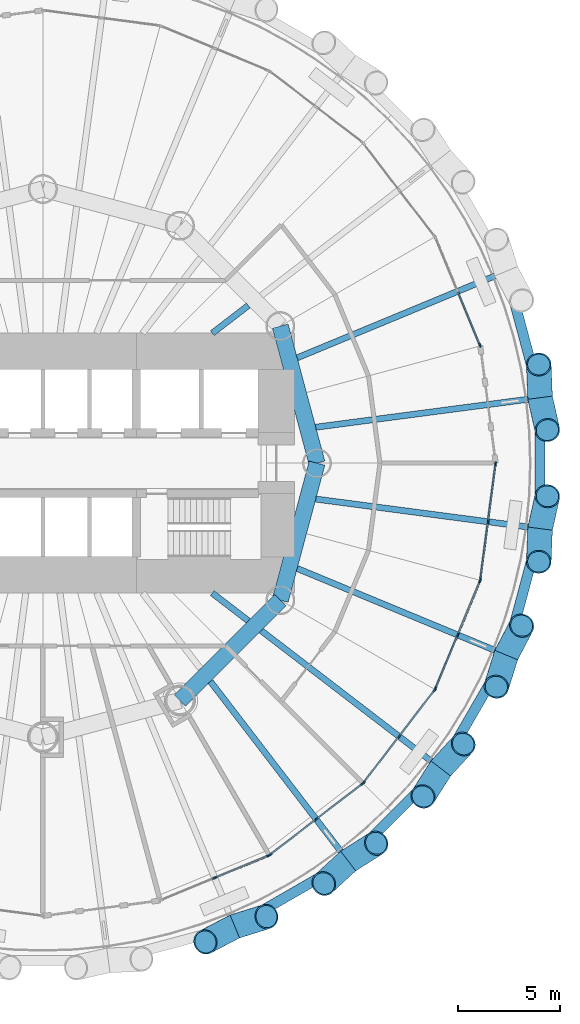
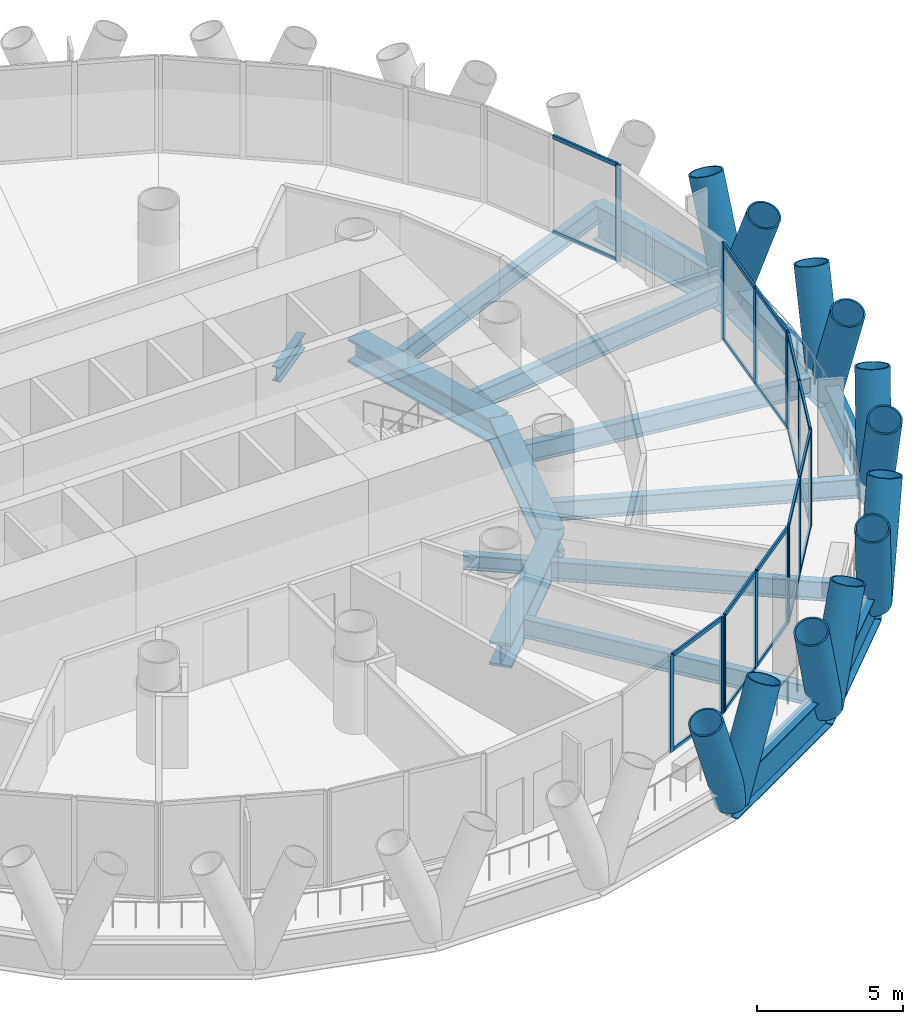
# One storey, part 4 of 15: 47 members, 17 beams, 6 elements without a shape of their own.
"""IFC4 building model written with IfcOpenShell, lengths in metres."""

import ifcopenshell
import ifcopenshell.guid

model = None  # the IFC model being written
_history = None  # IfcOwnerHistory: only IFC2X3 demands one
_inside = {}  # id of a spatial element -> (the spatial element, [elements in it])
_under = {}  # id of a project, library or spatial element -> (it, [spatial elements below it])
_declared = {}  # id of a project -> (the project, [libraries it declares])
_typed = {}  # id of a type object -> (the type object, [elements of that type])
_made_of = {}  # id of a material, layer set ... -> (it, [elements and type objects made of it])


def new_model(schema):
    """Start an empty IFC model of exactly this schema.

    Asked for "IFC4X3", IfcOpenShell would pick the latest addendum, in which some entities
    have other attributes; the version numbers below select the first issue.
    IFC2X3 requires an IfcOwnerHistory on every rooted entity: one is made here for all.
    """
    global model, _history
    if schema == "IFC4X3":
        model = ifcopenshell.file(schema_version=(4, 3, 0, 0))
    else:
        model = ifcopenshell.file(schema=schema)
    _inside.clear()
    _under.clear()
    _declared.clear()
    _typed.clear()
    _made_of.clear()
    _history = None
    if model.schema == "IFC2X3":
        org = make("IfcOrganization", Name="unknown")
        user = make(
            "IfcPersonAndOrganization",
            ThePerson=make("IfcPerson", FamilyName="unknown"),
            TheOrganization=org,
        )
        app = make(
            "IfcApplication",
            ApplicationDeveloper=org,
            Version="unknown",
            ApplicationFullName="unknown",
            ApplicationIdentifier="unknown",
        )
        _history = make(
            "IfcOwnerHistory",
            OwningUser=user,
            OwningApplication=app,
            ChangeAction="ADDED",
            CreationDate=0,
        )
    return model


def make(cls, **values):
    """One entity of the class cls with the attributes given. An attribute that is None is left unset."""
    return model.create_entity(
        cls, **{name: value for name, value in values.items() if value is not None}
    )


def rooted(cls, **values):
    """An entity with a GlobalId (a new one), such as an element, a storey or a relation."""
    return make(cls, GlobalId=ifcopenshell.guid.new(), OwnerHistory=_history, **values)


def si_unit(unit_type, name, prefix=None):
    """IfcSIUnit, for example si_unit("LENGTHUNIT", "METRE", prefix="MILLI")."""
    return make("IfcSIUnit", UnitType=unit_type, Prefix=prefix, Name=name)


def assignment(units):
    """IfcUnitAssignment: the units of a project."""
    return None if units is None else make("IfcUnitAssignment", Units=units)


def point(xyz):
    """IfcCartesianPoint."""
    return None if xyz is None else make("IfcCartesianPoint", Coordinates=xyz)


def direction(xyz):
    """IfcDirection."""
    return None if xyz is None else make("IfcDirection", DirectionRatios=xyz)


def frame(location, z_axis=None, x_axis=None):
    """IfcAxis2Placement3D, a coordinate frame: its origin and axes. An axis left out is left unset."""
    return make(
        "IfcAxis2Placement3D",
        Location=point(location),
        Axis=direction(z_axis),
        RefDirection=direction(x_axis),
    )


def frame_2d(location, x_axis=None):
    """IfcAxis2Placement2D, a coordinate frame in the plane: its origin and x axis."""
    return make(
        "IfcAxis2Placement2D", Location=point(location), RefDirection=direction(x_axis)
    )


def origin():
    """The frame at (0, 0, 0) with its axes left unset."""
    return frame((0.0, 0.0, 0.0))


def origin_2d():
    """The frame at (0, 0) in the plane with its x axis left unset."""
    return frame_2d((0.0, 0.0))


def place(relative_to, where):
    """IfcLocalPlacement: puts the frame where relative to a parent placement (None: the world)."""
    return make(
        "IfcLocalPlacement", PlacementRelTo=relative_to, RelativePlacement=where
    )


def context(
    kind, dimensions, precision=None, world=None, true_north=None, identifier=None
):
    """IfcGeometricRepresentationContext, for example the 3D "Model" context."""
    return make(
        "IfcGeometricRepresentationContext",
        ContextIdentifier=identifier,
        ContextType=kind,
        CoordinateSpaceDimension=dimensions,
        Precision=precision,
        WorldCoordinateSystem=world,
        TrueNorth=true_north,
    )


def subcontext(parent, identifier, kind, view, scale=None):
    """IfcGeometricRepresentationSubContext, for example "Body" below "Model"."""
    return make(
        "IfcGeometricRepresentationSubContext",
        ContextIdentifier=identifier,
        ContextType=kind,
        ParentContext=parent,
        TargetScale=scale,
        TargetView=view,
    )


def project(units=None, contexts=None):
    """IfcProject with its units and contexts."""
    return rooted(
        "IfcProject",
        Name="project",
        RepresentationContexts=contexts,
        UnitsInContext=assignment(units),
    )


def spatial(cls, under=None, at=None, **own):
    """A site, building, storey or space (cls), placed at a placement, below another one or the project."""
    s = rooted(cls, ObjectPlacement=at, **own)
    if under is not None:
        _under.setdefault(under.id(), (under, []))[1].append(s)
    return s


def profile(cls, at=None, kind="AREA", **sizes):
    """A parametric profile (cls). Its sizes go by their IFC names, for example OverallWidth=200.0."""
    return make(cls, ProfileType=kind, Position=at, **sizes)


def rectangle(**sizes):
    """IfcRectangleProfileDef."""
    return profile("IfcRectangleProfileDef", **sizes)


def hollow_circle(**sizes):
    """IfcCircleHollowProfileDef."""
    return profile("IfcCircleHollowProfileDef", **sizes)


def i_section(**sizes):
    """IfcIShapeProfileDef."""
    return profile("IfcIShapeProfileDef", **sizes)


def extrude(swept, where, along, depth):
    """IfcExtrudedAreaSolid: the profile swept, set in the frame where, extruded along a direction by depth."""
    return make(
        "IfcExtrudedAreaSolid",
        SweptArea=swept,
        Position=where,
        ExtrudedDirection=direction(along),
        Depth=depth,
    )


def shape(context_of_items, identifier, shape_type, items):
    """IfcShapeRepresentation: the items that make up one representation, for example the "Body"."""
    return make(
        "IfcShapeRepresentation",
        ContextOfItems=context_of_items,
        RepresentationIdentifier=identifier,
        RepresentationType=shape_type,
        Items=items,
    )


def material(Name=None, Category=None):
    """IfcMaterial."""
    return make("IfcMaterial", Name=Name, Category=Category)


def material_profile(
    of_material, cross_section, Name=None, Category=None, Priority=None
):
    """IfcMaterialProfile: a cross section and its material."""
    return make(
        "IfcMaterialProfile",
        Name=Name,
        Material=of_material,
        Profile=cross_section,
        Priority=Priority,
        Category=Category,
    )


def profile_set(profiles, Name=None, composite=None):
    """IfcMaterialProfileSet."""
    return make(
        "IfcMaterialProfileSet",
        Name=Name,
        MaterialProfiles=profiles,
        CompositeProfile=composite,
    )


def made_of(thing, what):
    """Note that an element or type object is made of a material, layer set ...; save() writes the relation."""
    if what is not None:
        _made_of.setdefault(what.id(), (what, []))[1].append(thing)
    return thing


def type_object(cls, material=None, **own):
    """A type object (cls), such as IfcWallType, which elements share."""
    return made_of(rooted(cls, **own), material)


def element(
    cls,
    number,
    at=None,
    inside=None,
    cuts=None,
    type_object=None,
    material=None,
    context=None,
    identifier="Body",
    shape_type=None,
    held_by="IfcProductDefinitionShape",
    body=None,
    shapes=None,
    **own,
):
    """One element of the class cls, such as IfcWall. Its Tag is "e" and its number.

    at: its placement. inside: the storey or other place that contains it. cuts: it is an
    opening in that element (IfcRelVoidsElement). A single representation is given by context,
    identifier, shape_type and body (its items); several are given by shapes. held_by: the class
    of the entity that holds the representations. save() writes the other relations.
    """
    e = rooted(cls, Tag="e%d" % number, ObjectPlacement=at, **own)
    if body is not None:
        shapes = [shape(context, identifier, shape_type, body)]
    if shapes is not None:
        e.Representation = make(held_by, Representations=shapes)
    if inside is not None:
        _inside.setdefault(inside.id(), (inside, []))[1].append(e)
    if cuts is not None:
        rooted(
            "IfcRelVoidsElement", RelatingBuildingElement=cuts, RelatedOpeningElement=e
        )
    if type_object is not None:
        _typed.setdefault(type_object.id(), (type_object, []))[1].append(e)
    return made_of(e, material)


def aggregate(whole, parts):
    """IfcRelAggregates: a whole, such as a stair, and the parts it consists of."""
    return rooted("IfcRelAggregates", RelatingObject=whole, RelatedObjects=parts)


def save(model, path):
    """Write the relations noted so far, then the file.

    IfcRelAggregates (storeys below a building ...), IfcRelContainedInSpatialStructure (elements
    in a storey), IfcRelDefinesByType, IfcRelAssociatesMaterial and IfcRelDeclares: one each for
    every whole, place, type object, material and project.
    """
    for whole, parts in _under.values():
        aggregate(whole, parts)
    for where, things in _inside.values():
        rooted(
            "IfcRelContainedInSpatialStructure",
            RelatedElements=things,
            RelatingStructure=where,
        )
    for kind, things in _typed.values():
        rooted("IfcRelDefinesByType", RelatedObjects=things, RelatingType=kind)
    for what, things in _made_of.values():
        rooted("IfcRelAssociatesMaterial", RelatedObjects=things, RelatingMaterial=what)
    for by, libraries in _declared.values():
        rooted("IfcRelDeclares", RelatingContext=by, RelatedDefinitions=libraries)
    model.write(path)


model = new_model("IFC4")

# Units and contexts
model_context = context("Model", 3, precision=1e-05, world=origin(), true_north=direction((0.0, 1.0)))
body_context = subcontext(model_context, "Body", "Model", "MODEL_VIEW")
ifc_project = project(units=[si_unit("LENGTHUNIT", "METRE"), si_unit("AREAUNIT", "SQUARE_METRE"), si_unit("VOLUMEUNIT", "CUBIC_METRE"), si_unit("PLANEANGLEUNIT", "RADIAN"), si_unit("MASSUNIT", "GRAM", prefix="KILO")], contexts=[model_context])

# Site, building, storey
site_placement = place(None, origin())
site = spatial("IfcSite", under=ifc_project, at=site_placement, CompositionType="ELEMENT")
building_placement = place(site_placement, origin())
building = spatial("IfcBuilding", under=site, at=building_placement, Name="Qaws Media Tower", CompositionType="ELEMENT")
storey_placement = place(building_placement, frame((0.0, 0.0, 51.199951171875)))
storey = spatial("IfcBuildingStorey", under=building, at=storey_placement, Name="L10", CompositionType="ELEMENT", Elevation=51.199951171875)

# Curtain wall, member
ifc_material_1 = material(Name="Aluminium and clear glass", Category="aluminium")
curtain_wall_type = type_object("IfcCurtainWallType", Name="Unitised curtain wall CW-A", PredefinedType="NOTDEFINED", material=ifc_material_1)
curtain_wall_1_placement = place(storey_placement, origin())
curtain_wall_1 = element("IfcCurtainWall", 1, at=curtain_wall_1_placement, inside=storey, type_object=curtain_wall_type, Name="CWA curtain wall L10-02", PredefinedType="NOTDEFINED")
ifc_material_2 = material(Name="Aluminium mullion", Category="aluminium")
ifc_material_profile_1 = material_profile(ifc_material_2, rectangle(XDim=0.080078125, YDim=0.199951171875, at=origin_2d()), Name="80x200")
ifc_profile_set_1 = profile_set([ifc_material_profile_1], Name="Aluminium mullion")
member_type_1 = type_object("IfcMemberType", Name="Curtain wall mullion 80x200", PredefinedType="MULLION", material=ifc_profile_set_1)
member_1_placement = place(storey_placement, frame((81.52490234375, 55.80859375, 0.0), z_axis=(0.0, 0.0, 1.0), x_axis=(-0.923879550732, -0.382683388377, 0.0)))
member_1 = element("IfcMember", 2, at=member_1_placement, type_object=member_type_1, Name="CWA mullion 1", PredefinedType="MULLION", context=body_context, shape_type="SweptSolid", body=[
    extrude(rectangle(XDim=0.080078125, YDim=0.199951171875, at=origin_2d()), origin(), (0.0, 0.0, 1.0), 4.0400390625),
])

# Curtain wall, members
curtain_wall_2_placement = place(storey_placement, origin())
curtain_wall_2 = element("IfcCurtainWall", 3, at=curtain_wall_2_placement, inside=storey, type_object=curtain_wall_type, Name="CWA curtain wall L10-20", PredefinedType="NOTDEFINED")
member_2_placement = place(storey_placement, frame((68.4609375, 29.57373046875, 0.0), z_axis=(0.0, 0.0, 1.0), x_axis=(-0.382683388377, 0.923879550732, 0.0)))
member_2 = element("IfcMember", 4, at=member_2_placement, type_object=member_type_1, Name="CWA mullion 2", PredefinedType="MULLION", context=body_context, shape_type="SweptSolid", body=[
    extrude(rectangle(XDim=0.080078125, YDim=0.199951171875, at=origin_2d()), origin(), (0.0, 0.0, 1.0), 4.0400390625),
])
member_3_placement = place(storey_placement, frame((71.113037109375, 30.67236328125, 0.0), z_axis=(0.0, 0.0, 1.0), x_axis=(-0.382683388377, 0.923879550732, 0.0)))
member_3 = element("IfcMember", 5, at=member_3_placement, type_object=member_type_1, Name="CWA mullion 3", PredefinedType="MULLION", context=body_context, shape_type="SweptSolid", body=[
    extrude(rectangle(XDim=0.080078125, YDim=0.199951171875, at=origin_2d()), origin(), (0.0, 0.0, 1.0), 4.0400390625),
])

curtain_wall_3_placement = place(storey_placement, origin())
curtain_wall_3 = element("IfcCurtainWall", 6, at=curtain_wall_3_placement, inside=storey, type_object=curtain_wall_type, Name="CWA curtain wall L10-21", PredefinedType="NOTDEFINED")
member_4_placement = place(storey_placement, frame((71.181640625, 30.7119140625, 0.0), z_axis=(0.0, 0.0, 1.0), x_axis=(-0.608761524717, 0.793353266852, 0.0)))
member_4 = element("IfcMember", 7, at=member_4_placement, type_object=member_type_1, Name="CWA mullion 1", PredefinedType="MULLION", context=body_context, shape_type="SweptSolid", body=[
    extrude(rectangle(XDim=0.080078125, YDim=0.199951171875, at=origin_2d()), origin(), (0.0, 0.0, 1.0), 4.0400390625),
])
member_5_placement = place(storey_placement, frame((73.459228515625, 32.45947265625, 0.0), z_axis=(0.0, 0.0, 1.0), x_axis=(-0.608761524717, 0.793353266852, 0.0)))
member_5 = element("IfcMember", 8, at=member_5_placement, type_object=member_type_1, Name="CWA mullion 2", PredefinedType="MULLION", context=body_context, shape_type="SweptSolid", body=[
    extrude(rectangle(XDim=0.080078125, YDim=0.199951171875, at=origin_2d()), origin(), (0.0, 0.0, 1.0), 4.0400390625),
])
member_6_placement = place(storey_placement, frame((75.73681640625, 34.207275390625, 0.0), z_axis=(0.0, 0.0, 1.0), x_axis=(-0.608761524717, 0.793353266852, 0.0)))
member_6 = element("IfcMember", 9, at=member_6_placement, type_object=member_type_1, Name="CWA mullion 3", PredefinedType="MULLION", context=body_context, shape_type="SweptSolid", body=[
    extrude(rectangle(XDim=0.080078125, YDim=0.199951171875, at=origin_2d()), origin(), (0.0, 0.0, 1.0), 4.0400390625),
])

curtain_wall_4_placement = place(storey_placement, origin())
curtain_wall_4 = element("IfcCurtainWall", 10, at=curtain_wall_4_placement, inside=storey, type_object=curtain_wall_type, Name="CWA curtain wall L10-22", PredefinedType="NOTDEFINED")
member_7_placement = place(storey_placement, frame((75.792724609375, 34.26318359375, 0.0), z_axis=(0.0, 0.0, 1.0), x_axis=(-0.793353266852, 0.608761524717, 0.0)))
member_7 = element("IfcMember", 11, at=member_7_placement, type_object=member_type_1, Name="CWA mullion 1", PredefinedType="MULLION", context=body_context, shape_type="SweptSolid", body=[
    extrude(rectangle(XDim=0.080078125, YDim=0.199951171875, at=origin_2d()), origin(), (0.0, 0.0, 1.0), 4.0400390625),
])
member_8_placement = place(storey_placement, frame((77.54052734375, 36.540771484375, 0.0), z_axis=(0.0, 0.0, 1.0), x_axis=(-0.793353266852, 0.608761524717, 0.0)))
member_8 = element("IfcMember", 12, at=member_8_placement, type_object=member_type_1, Name="CWA mullion 2", PredefinedType="MULLION", context=body_context, shape_type="SweptSolid", body=[
    extrude(rectangle(XDim=0.080078125, YDim=0.199951171875, at=origin_2d()), origin(), (0.0, 0.0, 1.0), 4.0400390625),
])
member_9_placement = place(storey_placement, frame((79.2880859375, 38.818359375, 0.0), z_axis=(0.0, 0.0, 1.0), x_axis=(-0.793353266852, 0.608761524717, 0.0)))
member_9 = element("IfcMember", 13, at=member_9_placement, type_object=member_type_1, Name="CWA mullion 3", PredefinedType="MULLION", context=body_context, shape_type="SweptSolid", body=[
    extrude(rectangle(XDim=0.080078125, YDim=0.199951171875, at=origin_2d()), origin(), (0.0, 0.0, 1.0), 4.0400390625),
])

curtain_wall_5_placement = place(storey_placement, origin())
curtain_wall_5 = element("IfcCurtainWall", 14, at=curtain_wall_5_placement, inside=storey, type_object=curtain_wall_type, Name="CWA curtain wall L10-23", PredefinedType="NOTDEFINED")
member_10_placement = place(storey_placement, frame((79.32763671875, 38.886962890625, 0.0), z_axis=(0.0, 0.0, 1.0), x_axis=(-0.923879550732, 0.382683388377, 0.0)))
member_10 = element("IfcMember", 15, at=member_10_placement, type_object=member_type_1, Name="CWA mullion 1", PredefinedType="MULLION", context=body_context, shape_type="SweptSolid", body=[
    extrude(rectangle(XDim=0.080078125, YDim=0.199951171875, at=origin_2d()), origin(), (0.0, 0.0, 1.0), 4.0400390625),
])
member_11_placement = place(storey_placement, frame((80.42626953125, 41.5390625, 0.0), z_axis=(0.0, 0.0, 1.0), x_axis=(-0.923879550732, 0.382683388377, 0.0)))
member_11 = element("IfcMember", 16, at=member_11_placement, type_object=member_type_1, Name="CWA mullion 2", PredefinedType="MULLION", context=body_context, shape_type="SweptSolid", body=[
    extrude(rectangle(XDim=0.080078125, YDim=0.199951171875, at=origin_2d()), origin(), (0.0, 0.0, 1.0), 4.0400390625),
])
member_12_placement = place(storey_placement, frame((81.52490234375, 44.19140625, 0.0), z_axis=(0.0, 0.0, 1.0), x_axis=(-0.923879550732, 0.382683388377, 0.0)))
member_12 = element("IfcMember", 17, at=member_12_placement, type_object=member_type_1, Name="CWA mullion 3", PredefinedType="MULLION", context=body_context, shape_type="SweptSolid", body=[
    extrude(rectangle(XDim=0.080078125, YDim=0.199951171875, at=origin_2d()), origin(), (0.0, 0.0, 1.0), 4.0400390625),
])

curtain_wall_6_placement = place(storey_placement, origin())
curtain_wall_6 = element("IfcCurtainWall", 18, at=curtain_wall_6_placement, inside=storey, type_object=curtain_wall_type, Name="CWA curtain wall L10-24", PredefinedType="NOTDEFINED")
member_13_placement = place(storey_placement, frame((81.54541015625, 44.26806640625, 0.0), z_axis=(0.0, 0.0, 1.0), x_axis=(-0.991444863875, 0.13052617322, 0.0)))
member_13 = element("IfcMember", 19, at=member_13_placement, type_object=member_type_1, Name="CWA mullion 1", PredefinedType="MULLION", context=body_context, shape_type="SweptSolid", body=[
    extrude(rectangle(XDim=0.080078125, YDim=0.199951171875, at=origin_2d()), origin(), (0.0, 0.0, 1.0), 4.0400390625),
])
member_14_placement = place(storey_placement, frame((81.920166015625, 47.1142578125, 0.0), z_axis=(0.0, 0.0, 1.0), x_axis=(-0.991444863875, 0.13052617322, 0.0)))
member_14 = element("IfcMember", 20, at=member_14_placement, type_object=member_type_1, Name="CWA mullion 2", PredefinedType="MULLION", context=body_context, shape_type="SweptSolid", body=[
    extrude(rectangle(XDim=0.080078125, YDim=0.199951171875, at=origin_2d()), origin(), (0.0, 0.0, 1.0), 4.0400390625),
])
member_15_placement = place(storey_placement, frame((82.294677734375, 49.96044921875, 0.0), z_axis=(0.0, 0.0, 1.0), x_axis=(-0.991444863875, 0.13052617322, 0.0)))
member_15 = element("IfcMember", 21, at=member_15_placement, type_object=member_type_1, Name="CWA mullion 3", PredefinedType="MULLION", context=body_context, shape_type="SweptSolid", body=[
    extrude(rectangle(XDim=0.080078125, YDim=0.199951171875, at=origin_2d()), origin(), (0.0, 0.0, 1.0), 4.0400390625),
])

# Member
ifc_material_3 = material(Name="Aluminium transom", Category="aluminium")
ifc_material_profile_2 = material_profile(ifc_material_3, rectangle(XDim=0.080078125, YDim=0.159912109375, at=origin_2d()), Name="80x160")
ifc_profile_set_2 = profile_set([ifc_material_profile_2], Name="Aluminium transom")
member_type_2 = type_object("IfcMemberType", Name="Curtain wall transom 80x160", PredefinedType="USERDEFINED", material=ifc_profile_set_2)
member_16_placement = place(storey_placement, frame((81.509521484375, 55.845458984375, 0.0400390625), z_axis=(-0.38264539254, 0.923895288205, 0.0), x_axis=(-0.923895288205, -0.38264539254, 0.0)))
member_16 = element("IfcMember", 22, at=member_16_placement, type_object=member_type_2, Name="CWA transom 1.1", ObjectType="TRANSOM", PredefinedType="USERDEFINED", context=body_context, shape_type="SweptSolid", body=[
    extrude(rectangle(XDim=0.080078125, YDim=0.159912109375, at=origin_2d()), origin(), (0.0, 0.0, 1.0), 2.790771484375),
])

member_17_placement = place(storey_placement, frame((81.509521484375, 55.845458984375, 4.0), z_axis=(-0.38264539254, 0.923895288205, 0.0), x_axis=(-0.923895288205, -0.38264539254, 0.0)))
member_17 = element("IfcMember", 23, at=member_17_placement, type_object=member_type_2, Name="CWA transom 1.2", ObjectType="TRANSOM", PredefinedType="USERDEFINED", context=body_context, shape_type="SweptSolid", body=[
    extrude(rectangle(XDim=0.080078125, YDim=0.159912109375, at=origin_2d()), origin(), (0.0, 0.0, 1.0), 2.790771484375),
])

aggregate(curtain_wall_1, [member_1, member_16, member_17])

member_18_placement = place(storey_placement, frame((68.497802734375, 29.589111328125, 0.0400390625), z_axis=(0.923895288205, 0.38264539254, 0.0), x_axis=(-0.38264539254, 0.923895288205, 0.0)))
member_18 = element("IfcMember", 24, at=member_18_placement, type_object=member_type_2, Name="CWA transom 2.1", ObjectType="TRANSOM", PredefinedType="USERDEFINED", context=body_context, shape_type="SweptSolid", body=[
    extrude(rectangle(XDim=0.080078125, YDim=0.159912109375, at=origin_2d()), origin(), (0.0, 0.0, 1.0), 2.790771484375),
])

member_19_placement = place(storey_placement, frame((68.497802734375, 29.589111328125, 4.0), z_axis=(0.923895288205, 0.38264539254, 0.0), x_axis=(-0.38264539254, 0.923895288205, 0.0)))
member_19 = element("IfcMember", 25, at=member_19_placement, type_object=member_type_2, Name="CWA transom 2.2", ObjectType="TRANSOM", PredefinedType="USERDEFINED", context=body_context, shape_type="SweptSolid", body=[
    extrude(rectangle(XDim=0.080078125, YDim=0.159912109375, at=origin_2d()), origin(), (0.0, 0.0, 1.0), 2.790771484375),
])

aggregate(curtain_wall_2, [member_2, member_3, member_18, member_19])

member_20_placement = place(storey_placement, frame((71.21337890625, 30.736328125, 0.0400390625), z_axis=(0.793348627538, 0.608767570739, 0.0), x_axis=(-0.608767570739, 0.793348627538, 0.0)))
member_20 = element("IfcMember", 26, at=member_20_placement, type_object=member_type_2, Name="CWA transom 1.1", ObjectType="TRANSOM", PredefinedType="USERDEFINED", context=body_context, shape_type="SweptSolid", body=[
    extrude(rectangle(XDim=0.080078125, YDim=0.159912109375, at=origin_2d()), origin(), (0.0, 0.0, 1.0), 2.790771484375),
])

member_21_placement = place(storey_placement, frame((71.21337890625, 30.736328125, 4.0), z_axis=(0.793348627538, 0.608767570739, 0.0), x_axis=(-0.608767570739, 0.793348627538, 0.0)))
member_21 = element("IfcMember", 27, at=member_21_placement, type_object=member_type_2, Name="CWA transom 1.2", ObjectType="TRANSOM", PredefinedType="USERDEFINED", context=body_context, shape_type="SweptSolid", body=[
    extrude(rectangle(XDim=0.080078125, YDim=0.159912109375, at=origin_2d()), origin(), (0.0, 0.0, 1.0), 2.790771484375),
])

member_22_placement = place(storey_placement, frame((73.490966796875, 32.48388671875, 0.0400390625), z_axis=(0.793348627538, 0.608767570739, 0.0), x_axis=(-0.608767570739, 0.793348627538, 0.0)))
member_22 = element("IfcMember", 28, at=member_22_placement, type_object=member_type_2, Name="CWA transom 2.1", ObjectType="TRANSOM", PredefinedType="USERDEFINED", context=body_context, shape_type="SweptSolid", body=[
    extrude(rectangle(XDim=0.080078125, YDim=0.159912109375, at=origin_2d()), origin(), (0.0, 0.0, 1.0), 2.790771484375),
])

member_23_placement = place(storey_placement, frame((73.490966796875, 32.48388671875, 4.0), z_axis=(0.793348627538, 0.608767570739, 0.0), x_axis=(-0.608767570739, 0.793348627538, 0.0)))
member_23 = element("IfcMember", 29, at=member_23_placement, type_object=member_type_2, Name="CWA transom 2.2", ObjectType="TRANSOM", PredefinedType="USERDEFINED", context=body_context, shape_type="SweptSolid", body=[
    extrude(rectangle(XDim=0.080078125, YDim=0.159912109375, at=origin_2d()), origin(), (0.0, 0.0, 1.0), 2.790771484375),
])

aggregate(curtain_wall_3, [member_4, member_5, member_6, member_20, member_21, member_22, member_23])

member_24_placement = place(storey_placement, frame((75.817138671875, 34.294921875, 0.0400390625), z_axis=(0.608767570739, 0.793348627538, 0.0), x_axis=(-0.793348627538, 0.608767570739, 0.0)))
member_24 = element("IfcMember", 30, at=member_24_placement, type_object=member_type_2, Name="CWA transom 1.1", ObjectType="TRANSOM", PredefinedType="USERDEFINED", context=body_context, shape_type="SweptSolid", body=[
    extrude(rectangle(XDim=0.080078125, YDim=0.159912109375, at=origin_2d()), origin(), (0.0, 0.0, 1.0), 2.790771484375),
])

member_25_placement = place(storey_placement, frame((75.817138671875, 34.294921875, 4.0), z_axis=(0.608767570739, 0.793348627538, 0.0), x_axis=(-0.793348627538, 0.608767570739, 0.0)))
member_25 = element("IfcMember", 31, at=member_25_placement, type_object=member_type_2, Name="CWA transom 1.2", ObjectType="TRANSOM", PredefinedType="USERDEFINED", context=body_context, shape_type="SweptSolid", body=[
    extrude(rectangle(XDim=0.080078125, YDim=0.159912109375, at=origin_2d()), origin(), (0.0, 0.0, 1.0), 2.790771484375),
])

member_26_placement = place(storey_placement, frame((77.564697265625, 36.572509765625, 0.0400390625), z_axis=(0.608767570739, 0.793348627538, 0.0), x_axis=(-0.793348627538, 0.608767570739, 0.0)))
member_26 = element("IfcMember", 32, at=member_26_placement, type_object=member_type_2, Name="CWA transom 2.1", ObjectType="TRANSOM", PredefinedType="USERDEFINED", context=body_context, shape_type="SweptSolid", body=[
    extrude(rectangle(XDim=0.080078125, YDim=0.159912109375, at=origin_2d()), origin(), (0.0, 0.0, 1.0), 2.790771484375),
])

member_27_placement = place(storey_placement, frame((77.564697265625, 36.572509765625, 4.0), z_axis=(0.608767570739, 0.793348627538, 0.0), x_axis=(-0.793348627538, 0.608767570739, 0.0)))
member_27 = element("IfcMember", 33, at=member_27_placement, type_object=member_type_2, Name="CWA transom 2.2", ObjectType="TRANSOM", PredefinedType="USERDEFINED", context=body_context, shape_type="SweptSolid", body=[
    extrude(rectangle(XDim=0.080078125, YDim=0.159912109375, at=origin_2d()), origin(), (0.0, 0.0, 1.0), 2.790771484375),
])

aggregate(curtain_wall_4, [member_7, member_8, member_9, member_24, member_25, member_26, member_27])

member_28_placement = place(storey_placement, frame((79.343017578125, 38.923828125, 0.0400390625), z_axis=(0.38264539254, 0.923895288205, 0.0), x_axis=(-0.923895288205, 0.38264539254, 0.0)))
member_28 = element("IfcMember", 34, at=member_28_placement, type_object=member_type_2, Name="CWA transom 1.1", ObjectType="TRANSOM", PredefinedType="USERDEFINED", context=body_context, shape_type="SweptSolid", body=[
    extrude(rectangle(XDim=0.080078125, YDim=0.159912109375, at=origin_2d()), origin(), (0.0, 0.0, 1.0), 2.790771484375),
])

member_29_placement = place(storey_placement, frame((79.343017578125, 38.923828125, 4.0), z_axis=(0.38264539254, 0.923895288205, 0.0), x_axis=(-0.923895288205, 0.38264539254, 0.0)))
member_29 = element("IfcMember", 35, at=member_29_placement, type_object=member_type_2, Name="CWA transom 1.2", ObjectType="TRANSOM", PredefinedType="USERDEFINED", context=body_context, shape_type="SweptSolid", body=[
    extrude(rectangle(XDim=0.080078125, YDim=0.159912109375, at=origin_2d()), origin(), (0.0, 0.0, 1.0), 2.790771484375),
])

member_30_placement = place(storey_placement, frame((80.441650390625, 41.576171875, 0.0400390625), z_axis=(0.38264539254, 0.923895288205, 0.0), x_axis=(-0.923895288205, 0.38264539254, 0.0)))
member_30 = element("IfcMember", 36, at=member_30_placement, type_object=member_type_2, Name="CWA transom 2.1", ObjectType="TRANSOM", PredefinedType="USERDEFINED", context=body_context, shape_type="SweptSolid", body=[
    extrude(rectangle(XDim=0.080078125, YDim=0.159912109375, at=origin_2d()), origin(), (0.0, 0.0, 1.0), 2.790771484375),
])

member_31_placement = place(storey_placement, frame((80.441650390625, 41.576171875, 4.0), z_axis=(0.38264539254, 0.923895288205, 0.0), x_axis=(-0.923895288205, 0.38264539254, 0.0)))
member_31 = element("IfcMember", 37, at=member_31_placement, type_object=member_type_2, Name="CWA transom 2.2", ObjectType="TRANSOM", PredefinedType="USERDEFINED", context=body_context, shape_type="SweptSolid", body=[
    extrude(rectangle(XDim=0.080078125, YDim=0.159912109375, at=origin_2d()), origin(), (0.0, 0.0, 1.0), 2.790771484375),
])

aggregate(curtain_wall_5, [member_10, member_11, member_12, member_28, member_29, member_30, member_31])

member_32_placement = place(storey_placement, frame((81.550537109375, 44.3076171875, 0.0400390625), z_axis=(0.130524665408, 0.991445062381, 0.0), x_axis=(-0.991445062381, 0.130524665408, 0.0)))
member_32 = element("IfcMember", 38, at=member_32_placement, type_object=member_type_2, Name="CWA transom 1.1", ObjectType="TRANSOM", PredefinedType="USERDEFINED", context=body_context, shape_type="SweptSolid", body=[
    extrude(rectangle(XDim=0.080078125, YDim=0.159912109375, at=origin_2d()), origin(), (0.0, 0.0, 1.0), 2.790771484375),
])

member_33_placement = place(storey_placement, frame((81.550537109375, 44.3076171875, 4.0), z_axis=(0.130524665408, 0.991445062381, 0.0), x_axis=(-0.991445062381, 0.130524665408, 0.0)))
member_33 = element("IfcMember", 39, at=member_33_placement, type_object=member_type_2, Name="CWA transom 1.2", ObjectType="TRANSOM", PredefinedType="USERDEFINED", context=body_context, shape_type="SweptSolid", body=[
    extrude(rectangle(XDim=0.080078125, YDim=0.159912109375, at=origin_2d()), origin(), (0.0, 0.0, 1.0), 2.790771484375),
])

member_34_placement = place(storey_placement, frame((81.92529296875, 47.15380859375, 0.0400390625), z_axis=(0.130524665408, 0.991445062381, 0.0), x_axis=(-0.991445062381, 0.130524665408, 0.0)))
member_34 = element("IfcMember", 40, at=member_34_placement, type_object=member_type_2, Name="CWA transom 2.1", ObjectType="TRANSOM", PredefinedType="USERDEFINED", context=body_context, shape_type="SweptSolid", body=[
    extrude(rectangle(XDim=0.080078125, YDim=0.159912109375, at=origin_2d()), origin(), (0.0, 0.0, 1.0), 2.790771484375),
])

member_35_placement = place(storey_placement, frame((81.92529296875, 47.15380859375, 4.0), z_axis=(0.130524665408, 0.991445062381, 0.0), x_axis=(-0.991445062381, 0.130524665408, 0.0)))
member_35 = element("IfcMember", 41, at=member_35_placement, type_object=member_type_2, Name="CWA transom 2.2", ObjectType="TRANSOM", PredefinedType="USERDEFINED", context=body_context, shape_type="SweptSolid", body=[
    extrude(rectangle(XDim=0.080078125, YDim=0.159912109375, at=origin_2d()), origin(), (0.0, 0.0, 1.0), 2.790771484375),
])

aggregate(curtain_wall_6, [member_13, member_14, member_15, member_32, member_33, member_34, member_35])

# Members
ifc_material_4 = material(Name="Steel S460", Category="steel")
ifc_material_profile_3 = material_profile(ifc_material_4, hollow_circle(Radius=0.609619140625, WallThickness=0.06005859375, at=origin_2d()), Name="CHS 1219x60")
ifc_profile_set_3 = profile_set([ifc_material_profile_3], Name="Steel S460")
member_type_3 = type_object("IfcMemberType", Name="Diagrid member CHS 1219x60", PredefinedType="USERDEFINED", material=ifc_profile_set_3)
for number, where, z_axis, x_axis, name in (
    (42, (84.48876953125, 53.223876953125, -0.909912109375), (-0.014896416922, 0.362497534698, 0.931865673851), (-0.99915671591, -0.041059189611, 0.0), "DG1 diagrid L10 A01"),
    (43, (84.48876953125, 53.223876953125, -0.909912109375), (0.079411806497, -0.353994649017, 0.931869923035), (0.97574945406, 0.218890390153, 0.0), "DG1 diagrid L10 B01"),
    (44, (69.452392578125, 27.18017578125, -0.909912109375), (0.346251379112, 0.108230640717, 0.931877733865), (-0.298343010406, 0.954458719978, 0.0), "DG1 diagrid L10 A20"),
    (45, (69.452392578125, 27.18017578125, -0.909912109375), (-0.321382639402, -0.168356184605, 0.931863398893), (0.464034889199, -0.885816923301, 0.0), "DG1 diagrid L10 B20"),
    (46, (75.036376953125, 30.404052734375, -0.909912109375), (0.306483994421, 0.19419319901, 0.931856513967), (-0.535222557834, 0.844711082907, 0.0), "DG1 diagrid L10 A21"),
    (47, (75.036376953125, 30.404052734375, -0.909912109375), (-0.266838837699, -0.24576691162, 0.931877491867), (0.677467250877, -0.735552937584, 0.0), "DG1 diagrid L10 B21"),
    (48, (79.595947265625, 34.963623046875, -0.909912109375), (0.24576691162, 0.266838837699, 0.931877491867), (-0.735552937584, 0.677467250877, 0.0), "DG1 diagrid L10 A22"),
    (49, (79.595947265625, 34.963623046875, -0.909912109375), (-0.19419319901, -0.306483994421, 0.931856513967), (0.844711082907, -0.535222557834, 0.0), "DG1 diagrid L10 B22"),
    (50, (82.81982421875, 40.547607421875, -0.909912109375), (0.168356184605, 0.321382639402, 0.931863398893), (-0.885816923301, 0.464034889199, 0.0), "DG1 diagrid L10 A23"),
    (51, (82.81982421875, 40.547607421875, -0.909912109375), (-0.108230640717, -0.346251379112, 0.931877733865), (0.954458719978, -0.298343010406, 0.0), "DG1 diagrid L10 B23"),
    (52, (84.48876953125, 46.776123046875, -0.909912109375), (0.079411806497, 0.353994649017, 0.931869923035), (-0.97574945406, 0.218890390153, 0.0), "DG1 diagrid L10 A24"),
    (53, (84.48876953125, 46.776123046875, -0.909912109375), (-0.014896416922, -0.362497534698, 0.931865673851), (0.99915671591, -0.041059189611, 0.0), "DG1 diagrid L10 B24"),
):
    element("IfcMember", number, at=place(storey_placement, frame(where, z_axis=z_axis, x_axis=x_axis)), inside=storey, type_object=member_type_3, Name=name, ObjectType="DIAGRID", PredefinedType="USERDEFINED", context=body_context, shape_type="SweptSolid", body=[
        extrude(hollow_circle(Radius=0.609619140625, WallThickness=0.06005859375, at=origin_2d()), origin(), (0.0, 0.0, 1.0), 4.507080078125),
    ])

# Beams
ifc_material_5 = material(Name="Steel S460", Category="steel")
ifc_material_profile_4 = material_profile(ifc_material_5, i_section(OverallWidth=0.5, OverallDepth=1.5, WebThickness=0.02001953125, FlangeThickness=0.0400390625, at=origin_2d()), Name="PG 1500x500")
ifc_profile_set_4 = profile_set([ifc_material_profile_4], Name="Steel S460")
beam_type_1 = type_object("IfcBeamType", Name="Edge ring beam PG 1500x500", PredefinedType="BEAM", material=ifc_profile_set_4)
beam_1_placement = place(storey_placement, frame((84.48876953125, 53.223876953125, -0.909912109375), z_axis=(-0.25882187829, 0.965925067134, 0.0), x_axis=(-0.965925067134, -0.25882187829, 0.0)))
element("IfcBeam", 54, at=beam_1_placement, inside=storey, type_object=beam_type_1, Name="RB4 edge ring beam L10-01", PredefinedType="BEAM", context=body_context, shape_type="SweptSolid", body=[
    extrude(i_section(OverallWidth=0.5, OverallDepth=1.5, WebThickness=0.02001953125, FlangeThickness=0.0400390625, at=origin_2d()), origin(), (0.0, 0.0, 1.0), 6.4482421875),
])
beam_2_placement = place(storey_placement, frame((69.452392578125, 27.18017578125, -0.909912109375), z_axis=(0.866027950949, 0.499995588155, 0.0), x_axis=(-0.499995588155, 0.866027950949, 0.0)))
element("IfcBeam", 55, at=beam_2_placement, inside=storey, type_object=beam_type_1, Name="RB4 edge ring beam L10-20", PredefinedType="BEAM", context=body_context, shape_type="SweptSolid", body=[
    extrude(i_section(OverallWidth=0.5, OverallDepth=1.5, WebThickness=0.02001953125, FlangeThickness=0.0400390625, at=origin_2d()), origin(), (0.0, 0.0, 1.0), 6.44775390625),
])
beam_3_placement = place(storey_placement, frame((75.036376953125, 30.404052734375, -0.909912109375), z_axis=(0.707106781187, 0.707106781187, 0.0), x_axis=(-0.707106781187, 0.707106781187, 0.0)))
element("IfcBeam", 56, at=beam_3_placement, inside=storey, type_object=beam_type_1, Name="RB4 edge ring beam L10-21", PredefinedType="BEAM", context=body_context, shape_type="SweptSolid", body=[
    extrude(i_section(OverallWidth=0.5, OverallDepth=1.5, WebThickness=0.02001953125, FlangeThickness=0.0400390625, at=origin_2d()), origin(), (0.0, 0.0, 1.0), 6.4482421875),
])
beam_4_placement = place(storey_placement, frame((79.595947265625, 34.963623046875, -0.909912109375), z_axis=(0.499995588155, 0.866027950949, 0.0), x_axis=(-0.866027950949, 0.499995588155, 0.0)))
element("IfcBeam", 57, at=beam_4_placement, inside=storey, type_object=beam_type_1, Name="RB4 edge ring beam L10-22", PredefinedType="BEAM", context=body_context, shape_type="SweptSolid", body=[
    extrude(i_section(OverallWidth=0.5, OverallDepth=1.5, WebThickness=0.02001953125, FlangeThickness=0.0400390625, at=origin_2d()), origin(), (0.0, 0.0, 1.0), 6.44775390625),
])
beam_5_placement = place(storey_placement, frame((82.81982421875, 40.547607421875, -0.909912109375), z_axis=(0.25882187829, 0.965925067134, 0.0), x_axis=(-0.965925067134, 0.25882187829, 0.0)))
element("IfcBeam", 58, at=beam_5_placement, inside=storey, type_object=beam_type_1, Name="RB4 edge ring beam L10-23", PredefinedType="BEAM", context=body_context, shape_type="SweptSolid", body=[
    extrude(i_section(OverallWidth=0.5, OverallDepth=1.5, WebThickness=0.02001953125, FlangeThickness=0.0400390625, at=origin_2d()), origin(), (0.0, 0.0, 1.0), 6.4482421875),
])
beam_6_placement = place(storey_placement, frame((84.48876953125, 46.776123046875, -0.909912109375), z_axis=(0.0, 1.0, 0.0), x_axis=(-1.0, 0.0, 0.0)))
element("IfcBeam", 59, at=beam_6_placement, inside=storey, type_object=beam_type_1, Name="RB4 edge ring beam L10-24", PredefinedType="BEAM", context=body_context, shape_type="SweptSolid", body=[
    extrude(i_section(OverallWidth=0.5, OverallDepth=1.5, WebThickness=0.02001953125, FlangeThickness=0.0400390625, at=origin_2d()), origin(), (0.0, 0.0, 1.0), 6.44775390625),
])
ifc_material_6 = material(Name="Steel S460", Category="steel")
ifc_material_profile_5 = material_profile(ifc_material_6, i_section(OverallWidth=0.800048828125, OverallDepth=1.0, WebThickness=0.0400390625, FlangeThickness=0.10009765625, at=origin_2d()), Name="PG 1000x800")
ifc_profile_set_5 = profile_set([ifc_material_profile_5], Name="Steel S460")
beam_type_2 = type_object("IfcBeamType", Name="Inner ring girder PG 1000x800", PredefinedType="BEAM", material=ifc_profile_set_5)
beam_7_placement = place(storey_placement, frame((73.5, 50.0, -0.659912109375), z_axis=(-0.258810593767, 0.965928090778, 0.0), x_axis=(-0.965928090778, -0.258810593767, 0.0)))
element("IfcBeam", 60, at=beam_7_placement, inside=storey, type_object=beam_type_2, Name="B3 inner ring beam L10 I01-I02", PredefinedType="BEAM", context=body_context, shape_type="SweptSolid", body=[
    extrude(i_section(OverallWidth=0.800048828125, OverallDepth=1.0, WebThickness=0.0400390625, FlangeThickness=0.10009765625, at=origin_2d()), origin(), (0.0, 0.0, 1.0), 6.988037109375),
])
beam_8_placement = place(storey_placement, frame((66.75, 38.30859375, -0.659912109375), z_axis=(0.707106781187, 0.707106781187, 0.0), x_axis=(-0.707106781187, 0.707106781187, 0.0)))
element("IfcBeam", 61, at=beam_8_placement, inside=storey, type_object=beam_type_2, Name="B3 inner ring beam L10 I11-I12", PredefinedType="BEAM", context=body_context, shape_type="SweptSolid", body=[
    extrude(i_section(OverallWidth=0.800048828125, OverallDepth=1.0, WebThickness=0.0400390625, FlangeThickness=0.10009765625, at=origin_2d()), origin(), (0.0, 0.0, 1.0), 6.98828125),
])
beam_9_placement = place(storey_placement, frame((71.69140625, 43.25, -0.659912109375), z_axis=(0.258810593767, 0.965928090778, 0.0), x_axis=(-0.965928090778, 0.258810593767, 0.0)))
element("IfcBeam", 62, at=beam_9_placement, inside=storey, type_object=beam_type_2, Name="B3 inner ring beam L10 I12-I01", PredefinedType="BEAM", context=body_context, shape_type="SweptSolid", body=[
    extrude(i_section(OverallWidth=0.800048828125, OverallDepth=1.0, WebThickness=0.0400390625, FlangeThickness=0.10009765625, at=origin_2d()), origin(), (0.0, 0.0, 1.0), 6.988037109375),
])
ifc_material_7 = material(Name="Steel S355", Category="steel")
ifc_material_profile_6 = material_profile(ifc_material_7, i_section(OverallWidth=0.304931640625, OverallDepth=0.6201171875, WebThickness=0.02099609375, FlangeThickness=0.0400390625, FilletRadius=0.027099609375, at=origin_2d()), Name="HE 600 M")
ifc_profile_set_6 = profile_set([ifc_material_profile_6], Name="Steel S355")
beam_type_3 = type_object("IfcBeamType", Name="Radial beam HE 600 M, core side", PredefinedType="BEAM", material=ifc_profile_set_6)
for number, where, z_axis, x_axis, name in (
    (63, (68.340576171875, 56.39990234375, -0.469970703125), (0.793321589474, 0.608802805245, 0.0), (-0.608802805245, 0.793321589474, 0.0), "B2 radial beam L10 03"),
    (64, (68.340576171875, 43.60009765625, -0.469970703125), (0.793321589474, -0.608802805245, 0.0), (0.608802805245, 0.793321589474, 0.0), "B2 radial beam L10 22"),
):
    element("IfcBeam", number, at=place(storey_placement, frame(where, z_axis=z_axis, x_axis=x_axis)), inside=storey, type_object=beam_type_3, Name=name, PredefinedType="BEAM", context=body_context, shape_type="SweptSolid", body=[
        extrude(i_section(OverallWidth=0.304931640625, OverallDepth=0.6201171875, WebThickness=0.02099609375, FlangeThickness=0.0400390625, FilletRadius=0.027099609375, at=origin_2d()), origin(), (0.0, 0.0, 1.0), 2.236083984375),
    ])
ifc_material_8 = material(Name="Steel S355", Category="steel")
ifc_material_profile_7 = material_profile(ifc_material_8, i_section(OverallWidth=0.300048828125, OverallDepth=0.800048828125, WebThickness=0.017578125, FlangeThickness=0.032958984375, FilletRadius=0.030029296875, at=origin_2d()), Name="HE 800 B")
ifc_profile_set_7 = profile_set([ifc_material_profile_7], Name="Steel S355")
beam_type_4 = type_object("IfcBeamType", Name="Radial beam HE 800 B", PredefinedType="BEAM", material=ifc_profile_set_7)
beam_10_placement = place(storey_placement, frame((73.43994140625, 51.769287109375, -0.56005859375), z_axis=(0.991445046872, 0.130524783217, 0.0), x_axis=(-0.130524783217, 0.991445046872, 0.0)))
element("IfcBeam", 65, at=beam_10_placement, inside=storey, type_object=beam_type_4, Name="B1 radial beam L10 01", PredefinedType="BEAM", context=body_context, shape_type="SweptSolid", body=[
    extrude(i_section(OverallWidth=0.300048828125, OverallDepth=0.800048828125, WebThickness=0.017578125, FlangeThickness=0.032958984375, FilletRadius=0.030029296875, at=origin_2d()), origin(), (0.0, 0.0, 1.0), 11.144287109375),
])
for number, where, z_axis, x_axis, name in (
    (66, (72.524169921875, 55.187744140625, -0.56005859375), (0.923877984457, 0.382687169678, 0.0), (-0.382687169678, 0.923877984457, 0.0), "B1 radial beam L10 02"),
    (67, (68.25244140625, 39.245361328125, -0.56005859375), (0.60874792212, -0.793363704309, 0.0), (0.793363704309, 0.60874792212, 0.0), "B1 radial beam L10 21"),
    (68, (70.754638671875, 41.74755859375, -0.56005859375), (0.793363704309, -0.60874792212, 0.0), (0.60874792212, 0.793363704309, 0.0), "B1 radial beam L10 22"),
    (69, (72.524169921875, 44.812255859375, -0.56005859375), (0.923877984457, -0.382687169678, 0.0), (0.382687169678, 0.923877984457, 0.0), "B1 radial beam L10 23"),
):
    element("IfcBeam", number, at=place(storey_placement, frame(where, z_axis=z_axis, x_axis=x_axis)), inside=storey, type_object=beam_type_4, Name=name, PredefinedType="BEAM", context=body_context, shape_type="SweptSolid", body=[
        extrude(i_section(OverallWidth=0.300048828125, OverallDepth=0.800048828125, WebThickness=0.017578125, FlangeThickness=0.032958984375, FilletRadius=0.030029296875, at=origin_2d()), origin(), (0.0, 0.0, 1.0), 11.14404296875),
    ])
beam_11_placement = place(storey_placement, frame((73.43994140625, 48.230712890625, -0.56005859375), z_axis=(0.991445046872, -0.130524783217, 0.0), x_axis=(0.130524783217, 0.991445046872, 0.0)))
element("IfcBeam", 70, at=beam_11_placement, inside=storey, type_object=beam_type_4, Name="B1 radial beam L10 24", PredefinedType="BEAM", context=body_context, shape_type="SweptSolid", body=[
    extrude(i_section(OverallWidth=0.300048828125, OverallDepth=0.800048828125, WebThickness=0.017578125, FlangeThickness=0.032958984375, FilletRadius=0.030029296875, at=origin_2d()), origin(), (0.0, 0.0, 1.0), 11.144287109375),
])

save(model, "model.ifc")
